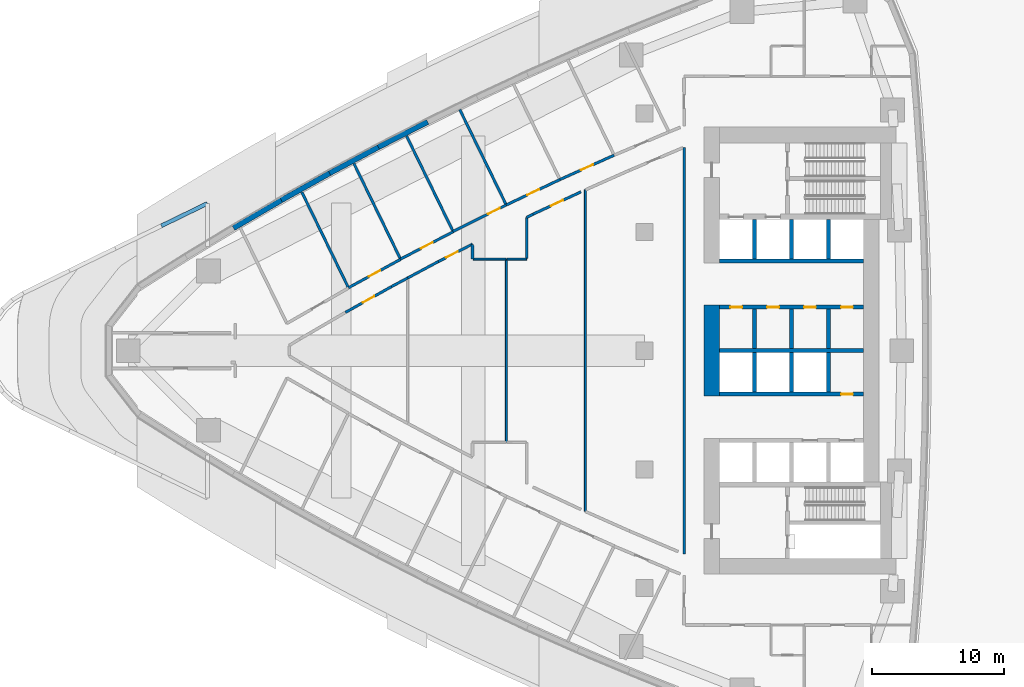
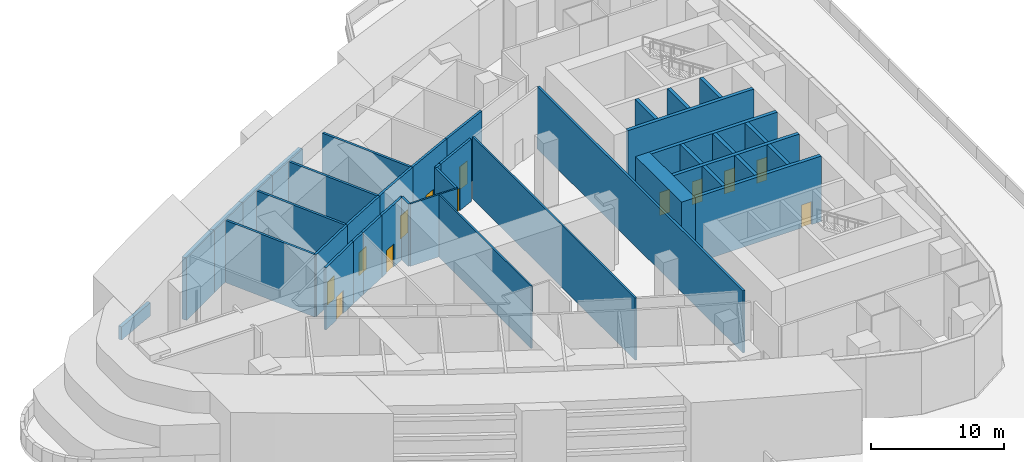
# One storey, part 4 of 14: 41 walls, 13 doors, 13 openings.
"""IFC4 building model written with IfcOpenShell, lengths in metres."""

from ifc_helpers import new_model, si_unit, direction, frame, frame_2d, origin, place, context, subcontext, project, spatial, polyline, rectangle, outline, extrude, material, layer, layer_set, type_object, element, fill, save


model = new_model("IFC4")

# Units and contexts
model_context = context("Model", 3, precision=1e-05, world=origin(), true_north=direction((0.0, 1.0)))
body_context = subcontext(model_context, "Body", "Model", "MODEL_VIEW")
ifc_project = project(units=[si_unit("LENGTHUNIT", "METRE"), si_unit("AREAUNIT", "SQUARE_METRE"), si_unit("VOLUMEUNIT", "CUBIC_METRE"), si_unit("PLANEANGLEUNIT", "RADIAN"), si_unit("MASSUNIT", "GRAM", prefix="KILO")], contexts=[model_context])

# Site, building, storey
site_placement = place(None, origin())
site = spatial("IfcSite", under=ifc_project, at=site_placement, CompositionType="ELEMENT")
building_placement = place(site_placement, origin())
building = spatial("IfcBuilding", under=site, at=building_placement, Name="Ostrand Prow Hotel Tower", CompositionType="ELEMENT")
storey_placement = place(building_placement, frame((0.0, 0.0, 29.0)))
storey = spatial("IfcBuildingStorey", under=building, at=storey_placement, Name="L05", CompositionType="ELEMENT", Elevation=29.0)

# Walls
ifc_material_1 = material(Name="Concrete C80/95", Category="concrete")
ifc_layer_1 = layer(ifc_material_1, 1.199951171875)
ifc_layer_set_1 = layer_set([ifc_layer_1], Name="Concrete C80/95")
wall_type_1 = type_object("IfcWallType", Name="Core wall 1200 C80/95", PredefinedType="SHEAR", material=ifc_layer_set_1)
wall_1_placement = place(storey_placement, frame((50.10009765625, -3.449951171875, 0.0), z_axis=(0.0, 0.0, 1.0), x_axis=(0.0, 1.0, 0.0)))
element("IfcWall", 1, at=wall_1_placement, inside=storey, type_object=wall_type_1, Name="Core wall CW-W-C", PredefinedType="SHEAR", context=body_context, shape_type="SweptSolid", body=[
    extrude(rectangle(XDim=6.89990234375, YDim=1.199951171875, at=frame_2d((3.449951171875, 0.0))), origin(), (0.0, 0.0, 1.0), 6.0),
])
ifc_material_2 = material(Name="Concrete C80/95", Category="concrete")
ifc_layer_2 = layer(ifc_material_2, 0.300048828125)
ifc_layer_set_2 = layer_set([ifc_layer_2], Name="Concrete C80/95")
wall_type_2 = type_object("IfcWallType", Name="Core wall 300 C80/95", PredefinedType="SHEAR", material=ifc_layer_set_2)
wall_2_placement = place(storey_placement, frame((50.699951171875, 0.0, 0.0), z_axis=(0.0, 0.0, 1.0), x_axis=(1.0, 0.0, 0.0)))
element("IfcWall", 2, at=wall_2_placement, inside=storey, type_object=wall_type_2, Name="Core wall PW-C", PredefinedType="SHEAR", context=body_context, shape_type="SweptSolid", body=[
    extrude(rectangle(XDim=10.900146484375, YDim=0.300048828125, at=frame_2d((5.4501953125, 0.0))), origin(), (0.0, 0.0, 1.0), 6.0),
])

# Wall, openings, doors
wall_3_placement = place(storey_placement, frame((50.699951171875, 3.300048828125, 0.0), z_axis=(0.0, 0.0, 1.0), x_axis=(1.0, 0.0, 0.0)))
wall_3 = element("IfcWall", 3, at=wall_3_placement, inside=storey, type_object=wall_type_2, Name="Core wall PW-L1-N", PredefinedType="SHEAR", context=body_context, shape_type="SweptSolid", body=[
    extrude(rectangle(XDim=10.900146484375, YDim=0.300048828125, at=frame_2d((5.4501953125, 0.0))), origin(), (0.0, 0.0, 1.0), 6.0),
])
opening_1_placement = place(wall_3_placement, frame((0.800048828125, 0.0, 0.0)))
opening_1 = element("IfcOpeningElement", 4, at=opening_1_placement, cuts=wall_3, Name="Opening FD2", PredefinedType="OPENING", context=body_context, shape_type="SweptSolid", body=[
    extrude(rectangle(XDim=0.89990234375, YDim=2.10009765625, at=frame_2d((0.449951171875, 1.050048828125))), frame((0.0, 0.159912109375, 0.0), z_axis=(0.0, -1.0, 0.0), x_axis=(1.0, 0.0, 0.0)), (0.0, 0.0, 1.0), 0.320068359375),
])
opening_2_placement = place(wall_3_placement, frame((3.60009765625, 0.0, 0.0)))
opening_2 = element("IfcOpeningElement", 5, at=opening_2_placement, cuts=wall_3, Name="Opening FD2", PredefinedType="OPENING", context=body_context, shape_type="SweptSolid", body=[
    extrude(rectangle(XDim=0.89990234375, YDim=2.10009765625, at=frame_2d((0.449951171875, 1.050048828125))), frame((0.0, 0.159912109375, 0.0), z_axis=(0.0, -1.0, 0.0), x_axis=(1.0, 0.0, 0.0)), (0.0, 0.0, 1.0), 0.320068359375),
])
opening_3_placement = place(wall_3_placement, frame((6.39990234375, 0.0, 0.0)))
opening_3 = element("IfcOpeningElement", 6, at=opening_3_placement, cuts=wall_3, Name="Opening FD2", PredefinedType="OPENING", context=body_context, shape_type="SweptSolid", body=[
    extrude(rectangle(XDim=0.89990234375, YDim=2.10009765625, at=frame_2d((0.449951171875, 1.050048828125))), frame((0.0, 0.159912109375, 0.0), z_axis=(0.0, -1.0, 0.0), x_axis=(1.0, 0.0, 0.0)), (0.0, 0.0, 1.0), 0.320068359375),
])
opening_4_placement = place(wall_3_placement, frame((9.199951171875, 0.0, 0.0)))
opening_4 = element("IfcOpeningElement", 7, at=opening_4_placement, cuts=wall_3, Name="Opening FD2", PredefinedType="OPENING", context=body_context, shape_type="SweptSolid", body=[
    extrude(rectangle(XDim=0.89990234375, YDim=2.10009765625, at=frame_2d((0.449951171875, 1.050048828125))), frame((0.0, 0.159912109375, 0.0), z_axis=(0.0, -1.0, 0.0), x_axis=(1.0, 0.0, 0.0)), (0.0, 0.0, 1.0), 0.320068359375),
])
ifc_material_3 = material(Name="Steel fire door", Category="steel")
door_type_1 = type_object("IfcDoorType", Name="Fire door 900 EI120", OperationType="SINGLE_SWING_LEFT", PredefinedType="DOOR", material=ifc_material_3)
door_1_placement = place(opening_1_placement, origin())
door_1 = element("IfcDoor", 8, at=door_1_placement, inside=storey, type_object=door_type_1, Name="DOOR", OperationType="SINGLE_SWING_LEFT", OverallHeight=2.10009765625, OverallWidth=0.89990234375, PredefinedType="DOOR", context=body_context, shape_type="SweptSolid", body=[
    extrude(rectangle(XDim=0.89990234375, YDim=2.10009765625, at=frame_2d((0.449951171875, 1.050048828125))), frame((0.0, 0.02490234375, 0.0), z_axis=(0.0, -1.0, 0.0), x_axis=(1.0, 0.0, 0.0)), (0.0, 0.0, 1.0), 0.050048828125),
])
fill(opening_1, door_1)
door_2_placement = place(opening_2_placement, origin())
door_2 = element("IfcDoor", 9, at=door_2_placement, inside=storey, type_object=door_type_1, Name="DOOR", OperationType="SINGLE_SWING_LEFT", OverallHeight=2.10009765625, OverallWidth=0.89990234375, PredefinedType="DOOR", context=body_context, shape_type="SweptSolid", body=[
    extrude(rectangle(XDim=0.89990234375, YDim=2.10009765625, at=frame_2d((0.449951171875, 1.050048828125))), frame((0.0, 0.02490234375, 0.0), z_axis=(0.0, -1.0, 0.0), x_axis=(1.0, 0.0, 0.0)), (0.0, 0.0, 1.0), 0.050048828125),
])
fill(opening_2, door_2)
door_3_placement = place(opening_3_placement, origin())
door_3 = element("IfcDoor", 10, at=door_3_placement, inside=storey, type_object=door_type_1, Name="DOOR", OperationType="SINGLE_SWING_LEFT", OverallHeight=2.10009765625, OverallWidth=0.89990234375, PredefinedType="DOOR", context=body_context, shape_type="SweptSolid", body=[
    extrude(rectangle(XDim=0.89990234375, YDim=2.10009765625, at=frame_2d((0.449951171875, 1.050048828125))), frame((0.0, 0.02490234375, 0.0), z_axis=(0.0, -1.0, 0.0), x_axis=(1.0, 0.0, 0.0)), (0.0, 0.0, 1.0), 0.050048828125),
])
fill(opening_3, door_3)
door_4_placement = place(opening_4_placement, origin())
door_4 = element("IfcDoor", 11, at=door_4_placement, inside=storey, type_object=door_type_1, Name="DOOR", OperationType="SINGLE_SWING_LEFT", OverallHeight=2.10009765625, OverallWidth=0.89990234375, PredefinedType="DOOR", context=body_context, shape_type="SweptSolid", body=[
    extrude(rectangle(XDim=0.89990234375, YDim=2.10009765625, at=frame_2d((0.449951171875, 1.050048828125))), frame((0.0, 0.02490234375, 0.0), z_axis=(0.0, -1.0, 0.0), x_axis=(1.0, 0.0, 0.0)), (0.0, 0.0, 1.0), 0.050048828125),
])
fill(opening_4, door_4)

# Walls
wall_4_placement = place(storey_placement, frame((50.699951171875, 6.800048828125, 0.0), z_axis=(0.0, 0.0, 1.0), x_axis=(1.0, 0.0, 0.0)))
element("IfcWall", 12, at=wall_4_placement, inside=storey, type_object=wall_type_2, Name="Core wall PW-L2-N", PredefinedType="SHEAR", context=body_context, shape_type="SweptSolid", body=[
    extrude(rectangle(XDim=10.900146484375, YDim=0.300048828125, at=frame_2d((5.4501953125, 0.0))), origin(), (0.0, 0.0, 1.0), 6.0),
])
for number, where, z_axis, x_axis, name in (
    (13, (53.35009765625, 0.14990234375, 0.0), (0.0, 0.0, 1.0), (0.0, 1.0, 0.0), "Core wall PW-R1-NB"),
    (14, (53.35009765625, 6.949951171875, 0.0), (0.0, 0.0, 1.0), (0.0, 1.0, 0.0), "Core wall PW-R1-NA"),
    (15, (56.14990234375, 0.14990234375, 0.0), (0.0, 0.0, 1.0), (0.0, 1.0, 0.0), "Core wall PW-R2-NB"),
    (16, (56.14990234375, 6.949951171875, 0.0), (0.0, 0.0, 1.0), (0.0, 1.0, 0.0), "Core wall PW-R2-NA"),
    (17, (58.949951171875, 0.14990234375, 0.0), (0.0, 0.0, 1.0), (0.0, 1.0, 0.0), "Core wall PW-R3-NB"),
    (18, (58.949951171875, 6.949951171875, 0.0), (0.0, 0.0, 1.0), (0.0, 1.0, 0.0), "Core wall PW-R3-NA"),
):
    element("IfcWall", number, at=place(storey_placement, frame(where, z_axis=z_axis, x_axis=x_axis)), inside=storey, type_object=wall_type_2, Name=name, PredefinedType="SHEAR", context=body_context, shape_type="SweptSolid", body=[
        extrude(rectangle(XDim=3.0, YDim=0.300048828125, at=frame_2d((1.5, 0.0))), origin(), (0.0, 0.0, 1.0), 6.0),
    ])

# Wall, opening, door
wall_5_placement = place(storey_placement, frame((50.699951171875, -3.300048828125, 0.0), z_axis=(0.0, 0.0, 1.0), x_axis=(1.0, 0.0, 0.0)))
wall_5 = element("IfcWall", 19, at=wall_5_placement, inside=storey, type_object=wall_type_2, Name="Core wall PW-L1-S", PredefinedType="SHEAR", context=body_context, shape_type="SweptSolid", body=[
    extrude(rectangle(XDim=10.900146484375, YDim=0.300048828125, at=frame_2d((5.4501953125, 0.0))), origin(), (0.0, 0.0, 1.0), 6.0),
])
opening_5_placement = place(wall_5_placement, frame((9.199951171875, 0.0, 0.0)))
opening_5 = element("IfcOpeningElement", 20, at=opening_5_placement, cuts=wall_5, Name="Opening FD2", PredefinedType="OPENING", context=body_context, shape_type="SweptSolid", body=[
    extrude(rectangle(XDim=0.89990234375, YDim=2.10009765625, at=frame_2d((0.449951171875, 1.050048828125))), frame((0.0, 0.159912109375, 0.0), z_axis=(0.0, -1.0, 0.0), x_axis=(1.0, 0.0, 0.0)), (0.0, 0.0, 1.0), 0.320068359375),
])
door_5_placement = place(opening_5_placement, origin())
door_5 = element("IfcDoor", 21, at=door_5_placement, inside=storey, type_object=door_type_1, Name="DOOR", OperationType="SINGLE_SWING_LEFT", OverallHeight=2.10009765625, OverallWidth=0.89990234375, PredefinedType="DOOR", context=body_context, shape_type="SweptSolid", body=[
    extrude(rectangle(XDim=0.89990234375, YDim=2.10009765625, at=frame_2d((0.449951171875, 1.050048828125))), frame((0.0, 0.02490234375, 0.0), z_axis=(0.0, -1.0, 0.0), x_axis=(1.0, 0.0, 0.0)), (0.0, 0.0, 1.0), 0.050048828125),
])
fill(opening_5, door_5)

# Walls
for number, where, z_axis, x_axis, name in (
    (22, (53.35009765625, -3.14990234375, 0.0), (0.0, 0.0, 1.0), (0.0, 1.0, 0.0), "Core wall PW-R1-SB"),
    (23, (56.14990234375, -3.14990234375, 0.0), (0.0, 0.0, 1.0), (0.0, 1.0, 0.0), "Core wall PW-R2-SB"),
    (24, (58.949951171875, -3.14990234375, 0.0), (0.0, 0.0, 1.0), (0.0, 1.0, 0.0), "Core wall PW-R3-SB"),
):
    element("IfcWall", number, at=place(storey_placement, frame(where, z_axis=z_axis, x_axis=x_axis)), inside=storey, type_object=wall_type_2, Name=name, PredefinedType="SHEAR", context=body_context, shape_type="SweptSolid", body=[
        extrude(rectangle(XDim=3.0, YDim=0.300048828125, at=frame_2d((1.5, 0.0))), origin(), (0.0, 0.0, 1.0), 6.0),
    ])
ifc_material_4 = material(Name="Precast concrete C40/50", Category="concrete")
ifc_layer_3 = layer(ifc_material_4, 0.300048828125)
ifc_layer_set_3 = layer_set([ifc_layer_3], Name="Precast concrete C40/50")
wall_type_3 = type_object("IfcWallType", Name="Parapet 300 mm precast concrete", PredefinedType="PARAPET", material=ifc_layer_set_3)
wall_6_placement = place(storey_placement, frame((11.85009765625, 11.172607421875, 0.0), z_axis=(0.0, 0.0, 1.0), x_axis=(-0.898881354941, -0.438192092282, 0.0)))
element("IfcWall", 25, at=wall_6_placement, inside=storey, type_object=wall_type_3, Name="Parapet 1.1.2", PredefinedType="PARAPET", context=body_context, shape_type="SweptSolid", body=[
    extrude(rectangle(XDim=3.885009765625, YDim=0.300048828125, at=frame_2d((1.9423828125, 0.0))), origin(), (0.0, 0.0, 1.0), 1.199951171875),
])
ifc_material_5 = material(Name="Plasterboard partition")
ifc_layer_4 = layer(ifc_material_5, 0.14990234375)
ifc_layer_set_4 = layer_set([ifc_layer_4], Name="Plasterboard partition")
wall_type_4 = type_object("IfcWallType", Name="Partition 150 room partition", PredefinedType="PARTITIONING", material=ifc_layer_set_4)
wall_7_placement = place(storey_placement, frame((34.5224609375, -6.949951171875, 0.0), z_axis=(0.0, 0.0, 1.0), x_axis=(0.0, 1.0, 0.0)))
element("IfcWall", 26, at=wall_7_placement, inside=storey, type_object=wall_type_4, Name="ROOM PARTITION", PredefinedType="PARTITIONING", context=body_context, shape_type="SweptSolid", body=[
    extrude(rectangle(XDim=13.89990234375, YDim=0.14990234375, at=frame_2d((6.949951171875, 0.0))), origin(), (0.0, 0.0, 1.0), 5.699951171875),
])
wall_8_placement = place(storey_placement, frame((40.512451171875, -12.195556640625, 0.0), z_axis=(0.0, 0.0, 1.0), x_axis=(0.0, 1.0, 0.0)))
element("IfcWall", 27, at=wall_8_placement, inside=storey, type_object=wall_type_4, Name="ROOM PARTITION", PredefinedType="PARTITIONING", context=body_context, shape_type="SweptSolid", body=[
    extrude(rectangle(XDim=24.39111328125, YDim=0.14990234375, at=frame_2d((12.195556640625, 0.0))), origin(), (0.0, 0.0, 1.0), 5.699951171875),
])
wall_9_placement = place(storey_placement, frame((31.988525390625, 6.9453125, 0.0), z_axis=(0.0, 0.0, 1.0), x_axis=(0.999999995208, -9.7895252e-05, 0.0)))
element("IfcWall", 28, at=wall_9_placement, inside=storey, type_object=wall_type_4, Name="ROOM PARTITION", PredefinedType="PARTITIONING", context=body_context, shape_type="SweptSolid", body=[
    extrude(rectangle(XDim=2.493896484375, YDim=0.14990234375, at=frame_2d((1.2470703125, 0.0))), origin(), (0.0, 0.0, 1.0), 5.699951171875),
])
wall_10_placement = place(storey_placement, frame((34.5625, 6.945068359375, 0.0), z_axis=(0.0, 0.0, 1.0), x_axis=(0.999998661111, 0.001636391198, 0.0)))
element("IfcWall", 29, at=wall_10_placement, inside=storey, type_object=wall_type_4, Name="ROOM PARTITION", PredefinedType="PARTITIONING", context=body_context, shape_type="SweptSolid", body=[
    extrude(rectangle(XDim=1.491943359375, YDim=0.14990234375, at=frame_2d((0.74609375, 0.0))), origin(), (0.0, 0.0, 1.0), 5.699951171875),
])

# Wall, opening, door
ifc_material_6 = material(Name="Plasterboard partition")
ifc_layer_5 = layer(ifc_material_6, 0.199951171875)
ifc_layer_set_5 = layer_set([ifc_layer_5], Name="Plasterboard partition")
wall_type_5 = type_object("IfcWallType", Name="Partition 200 corridor wall", PredefinedType="PARTITIONING", material=ifc_layer_set_5)
wall_11_placement = place(storey_placement, frame((22.541015625, 4.772705078125, 0.0), z_axis=(0.0, 0.0, 1.0), x_axis=(0.878098348451, 0.478480188146, 0.0)))
wall_11 = element("IfcWall", 30, at=wall_11_placement, inside=storey, type_object=wall_type_5, Name="CORRIDOR WALL", PredefinedType="PARTITIONING", context=body_context, shape_type="SweptSolid", body=[
    extrude(rectangle(XDim=4.507568359375, YDim=0.199951171875, at=frame_2d((2.25390625, 0.0))), origin(), (0.0, 0.0, 1.0), 5.699951171875),
])
opening_6_placement = place(wall_11_placement, frame((1.75390625, 0.0, 0.0)))
opening_6 = element("IfcOpeningElement", 31, at=opening_6_placement, cuts=wall_11, Name="Opening D1R", PredefinedType="OPENING", context=body_context, shape_type="SweptSolid", body=[
    extrude(rectangle(XDim=1.0, YDim=2.10009765625, at=frame_2d((0.5, 1.050048828125))), frame((0.0, 0.10986328125, 0.0), z_axis=(0.0, -1.0, 0.0), x_axis=(1.0, 0.0, 0.0)), (0.0, 0.0, 1.0), 0.219970703125),
])
ifc_material_7 = material(Name="Timber door leaf", Category="wood")
door_type_2 = type_object("IfcDoorType", Name="Guest room door 1000 right", OperationType="SINGLE_SWING_RIGHT", PredefinedType="DOOR", material=ifc_material_7)
door_6_placement = place(opening_6_placement, origin())
door_6 = element("IfcDoor", 32, at=door_6_placement, inside=storey, type_object=door_type_2, Name="DOOR", OperationType="SINGLE_SWING_RIGHT", OverallHeight=2.10009765625, OverallWidth=1.0, PredefinedType="DOOR", context=body_context, shape_type="SweptSolid", body=[
    extrude(rectangle(XDim=1.0, YDim=2.10009765625, at=frame_2d((0.5, 1.050048828125))), frame((0.0, 0.02490234375, 0.0), z_axis=(0.0, -1.0, 0.0), x_axis=(1.0, 0.0, 0.0)), (0.0, 0.0, 1.0), 0.050048828125),
])
fill(opening_6, door_6)

wall_12_placement = place(storey_placement, frame((26.490234375, 6.947509765625, 0.0), z_axis=(0.0, 0.0, 1.0), x_axis=(0.887638836985, 0.460540220911, 0.0)))
wall_12 = element("IfcWall", 33, at=wall_12_placement, inside=storey, type_object=wall_type_5, Name="CORRIDOR WALL", PredefinedType="PARTITIONING", context=body_context, shape_type="SweptSolid", body=[
    extrude(rectangle(XDim=4.50439453125, YDim=0.199951171875, at=frame_2d((2.252197265625, 0.0))), origin(), (0.0, 0.0, 1.0), 5.699951171875),
])
opening_7_placement = place(wall_12_placement, frame((1.752197265625, 0.0, 0.0)))
opening_7 = element("IfcOpeningElement", 34, at=opening_7_placement, cuts=wall_12, Name="Opening D1", PredefinedType="OPENING", context=body_context, shape_type="SweptSolid", body=[
    extrude(rectangle(XDim=1.0, YDim=2.10009765625, at=frame_2d((0.5, 1.050048828125))), frame((0.0, 0.10986328125, 0.0), z_axis=(0.0, -1.0, 0.0), x_axis=(1.0, 0.0, 0.0)), (0.0, 0.0, 1.0), 0.219970703125),
])
ifc_material_8 = material(Name="Timber door leaf", Category="wood")
door_type_3 = type_object("IfcDoorType", Name="Guest room door 1000", OperationType="SINGLE_SWING_LEFT", PredefinedType="DOOR", material=ifc_material_8)
door_7_placement = place(opening_7_placement, origin())
door_7 = element("IfcDoor", 35, at=door_7_placement, inside=storey, type_object=door_type_3, Name="DOOR", OperationType="SINGLE_SWING_LEFT", OverallHeight=2.10009765625, OverallWidth=1.0, PredefinedType="DOOR", context=body_context, shape_type="SweptSolid", body=[
    extrude(rectangle(XDim=1.0, YDim=2.10009765625, at=frame_2d((0.5, 1.050048828125))), frame((0.0, 0.02490234375, 0.0), z_axis=(0.0, -1.0, 0.0), x_axis=(1.0, 0.0, 0.0)), (0.0, 0.0, 1.0), 0.050048828125),
])
fill(opening_7, door_7)

wall_13_placement = place(storey_placement, frame((30.479736328125, 9.039794921875, 0.0), z_axis=(0.0, 0.0, 1.0), x_axis=(0.894989913054, 0.446086376761, 0.0)))
wall_13 = element("IfcWall", 36, at=wall_13_placement, inside=storey, type_object=wall_type_5, Name="CORRIDOR WALL", PredefinedType="PARTITIONING", context=body_context, shape_type="SweptSolid", body=[
    extrude(rectangle(XDim=4.50634765625, YDim=0.199951171875, at=frame_2d((2.253173828125, 0.0))), origin(), (0.0, 0.0, 1.0), 5.699951171875),
])
opening_8_placement = place(wall_13_placement, frame((2.949951171875, 0.0, 0.0)))
opening_8 = element("IfcOpeningElement", 37, at=opening_8_placement, cuts=wall_13, Name="Opening D1R", PredefinedType="OPENING", context=body_context, shape_type="SweptSolid", body=[
    extrude(rectangle(XDim=1.0, YDim=2.10009765625, at=frame_2d((0.5, 1.050048828125))), frame((0.0, 0.10986328125, 0.0), z_axis=(0.0, -1.0, 0.0), x_axis=(1.0, 0.0, 0.0)), (0.0, 0.0, 1.0), 0.219970703125),
])
door_8_placement = place(opening_8_placement, origin())
door_8 = element("IfcDoor", 38, at=door_8_placement, inside=storey, type_object=door_type_2, Name="DOOR", OperationType="SINGLE_SWING_RIGHT", OverallHeight=2.10009765625, OverallWidth=1.0, PredefinedType="DOOR", context=body_context, shape_type="SweptSolid", body=[
    extrude(rectangle(XDim=1.0, YDim=2.10009765625, at=frame_2d((0.5, 1.050048828125))), frame((0.0, 0.02490234375, 0.0), z_axis=(0.0, -1.0, 0.0), x_axis=(1.0, 0.0, 0.0)), (0.0, 0.0, 1.0), 0.050048828125),
])
fill(opening_8, door_8)

wall_14_placement = place(storey_placement, frame((38.584716796875, 12.981201171875, 0.0), z_axis=(0.0, 0.0, 1.0), x_axis=(-0.903706948966, -0.428151550727, 0.0)))
wall_14 = element("IfcWall", 39, at=wall_14_placement, inside=storey, type_object=wall_type_5, Name="CORRIDOR WALL", PredefinedType="PARTITIONING", context=body_context, shape_type="SweptSolid", body=[
    extrude(rectangle(XDim=4.50634765625, YDim=0.199951171875, at=frame_2d((2.253173828125, 0.0))), origin(), (0.0, 0.0, 1.0), 5.699951171875),
])
opening_9_placement = place(wall_14_placement, frame((1.75341796875, 0.0, 0.0)))
opening_9 = element("IfcOpeningElement", 40, at=opening_9_placement, cuts=wall_14, Name="Opening D1", PredefinedType="OPENING", context=body_context, shape_type="SweptSolid", body=[
    extrude(rectangle(XDim=1.0, YDim=2.10009765625, at=frame_2d((0.5, 1.050048828125))), frame((0.0, 0.10986328125, 0.0), z_axis=(0.0, -1.0, 0.0), x_axis=(1.0, 0.0, 0.0)), (0.0, 0.0, 1.0), 0.219970703125),
])
door_9_placement = place(opening_9_placement, origin())
door_9 = element("IfcDoor", 41, at=door_9_placement, inside=storey, type_object=door_type_3, Name="DOOR", OperationType="SINGLE_SWING_LEFT", OverallHeight=2.10009765625, OverallWidth=1.0, PredefinedType="DOOR", context=body_context, shape_type="SweptSolid", body=[
    extrude(rectangle(XDim=1.0, YDim=2.10009765625, at=frame_2d((0.5, 1.050048828125))), frame((0.0, 0.02490234375, 0.0), z_axis=(0.0, -1.0, 0.0), x_axis=(1.0, 0.0, 0.0)), (0.0, 0.0, 1.0), 0.050048828125),
])
fill(opening_9, door_9)

wall_15_placement = place(storey_placement, frame((42.694091796875, 14.8271484375, 0.0), z_axis=(0.0, 0.0, 1.0), x_axis=(-0.912193063794, -0.409760679381, 0.0)))
wall_15 = element("IfcWall", 42, at=wall_15_placement, inside=storey, type_object=wall_type_5, Name="CORRIDOR WALL", PredefinedType="PARTITIONING", context=body_context, shape_type="SweptSolid", body=[
    extrude(rectangle(XDim=4.5048828125, YDim=0.199951171875, at=frame_2d((2.25244140625, 0.0))), origin(), (0.0, 0.0, 1.0), 5.699951171875),
])
opening_10_placement = place(wall_15_placement, frame((1.75244140625, 0.0, 0.0)))
opening_10 = element("IfcOpeningElement", 43, at=opening_10_placement, cuts=wall_15, Name="Opening D1R", PredefinedType="OPENING", context=body_context, shape_type="SweptSolid", body=[
    extrude(rectangle(XDim=1.0, YDim=2.10009765625, at=frame_2d((0.5, 1.050048828125))), frame((0.0, 0.10986328125, 0.0), z_axis=(0.0, -1.0, 0.0), x_axis=(1.0, 0.0, 0.0)), (0.0, 0.0, 1.0), 0.219970703125),
])
door_10_placement = place(opening_10_placement, origin())
door_10 = element("IfcDoor", 44, at=door_10_placement, inside=storey, type_object=door_type_2, Name="DOOR", OperationType="SINGLE_SWING_RIGHT", OverallHeight=2.10009765625, OverallWidth=1.0, PredefinedType="DOOR", context=body_context, shape_type="SweptSolid", body=[
    extrude(rectangle(XDim=1.0, YDim=2.10009765625, at=frame_2d((0.5, 1.050048828125))), frame((0.0, 0.02490234375, 0.0), z_axis=(0.0, -1.0, 0.0), x_axis=(1.0, 0.0, 0.0)), (0.0, 0.0, 1.0), 0.050048828125),
])
fill(opening_10, door_10)

wall_16_placement = place(storey_placement, frame((22.31201171875, 2.903076171875, 0.0), z_axis=(0.0, 0.0, 1.0), x_axis=(0.872800289292, 0.488077509225, 0.0)))
wall_16 = element("IfcWall", 45, at=wall_16_placement, inside=storey, type_object=wall_type_5, Name="CORRIDOR WALL", PredefinedType="PARTITIONING", context=body_context, shape_type="SweptSolid", body=[
    extrude(rectangle(XDim=4.015625, YDim=0.199951171875, at=frame_2d((2.0078125, 0.0))), origin(), (0.0, 0.0, 1.0), 5.699951171875),
])
opening_11_placement = place(wall_16_placement, frame((1.5078125, 0.0, 0.0)))
opening_11 = element("IfcOpeningElement", 46, at=opening_11_placement, cuts=wall_16, Name="Opening D1", PredefinedType="OPENING", context=body_context, shape_type="SweptSolid", body=[
    extrude(rectangle(XDim=1.0, YDim=2.10009765625, at=frame_2d((0.5, 1.050048828125))), frame((0.0, 0.10986328125, 0.0), z_axis=(0.0, -1.0, 0.0), x_axis=(1.0, 0.0, 0.0)), (0.0, 0.0, 1.0), 0.219970703125),
])
door_11_placement = place(opening_11_placement, origin())
door_11 = element("IfcDoor", 47, at=door_11_placement, inside=storey, type_object=door_type_3, Name="DOOR", OperationType="SINGLE_SWING_LEFT", OverallHeight=2.10009765625, OverallWidth=1.0, PredefinedType="DOOR", context=body_context, shape_type="SweptSolid", body=[
    extrude(rectangle(XDim=1.0, YDim=2.10009765625, at=frame_2d((0.5, 1.050048828125))), frame((0.0, 0.02490234375, 0.0), z_axis=(0.0, -1.0, 0.0), x_axis=(1.0, 0.0, 0.0)), (0.0, 0.0, 1.0), 0.050048828125),
])
fill(opening_11, door_11)

# Wall
wall_17_placement = place(storey_placement, frame((25.81689453125, 4.863037109375, 0.0), z_axis=(0.0, 0.0, 1.0), x_axis=(0.881676934622, 0.471853560922, 0.0)))
element("IfcWall", 48, at=wall_17_placement, inside=storey, type_object=wall_type_5, Name="CORRIDOR WALL", PredefinedType="PARTITIONING", context=body_context, shape_type="SweptSolid", body=[
    extrude(rectangle(XDim=1.381591796875, YDim=0.199951171875, at=frame_2d((0.69091796875, 0.0))), origin(), (0.0, 0.0, 1.0), 5.699951171875),
])

# Wall, opening, door
wall_18_placement = place(storey_placement, frame((29.357421875, 6.758056640625, 0.0), z_axis=(0.0, 0.0, 1.0), x_axis=(0.890213377055, 0.455543788579, 0.0)))
wall_18 = element("IfcWall", 49, at=wall_18_placement, inside=storey, type_object=wall_type_5, Name="CORRIDOR WALL", PredefinedType="PARTITIONING", context=body_context, shape_type="SweptSolid", body=[
    extrude(rectangle(XDim=2.912353515625, YDim=0.199951171875, at=frame_2d((1.4560546875, 0.0))), origin(), (0.0, 0.0, 1.0), 5.699951171875),
])
opening_12_placement = place(wall_18_placement, frame((0.65625, 0.0, 0.0)))
opening_12 = element("IfcOpeningElement", 50, at=opening_12_placement, cuts=wall_18, Name="Opening D1R", PredefinedType="OPENING", context=body_context, shape_type="SweptSolid", body=[
    extrude(rectangle(XDim=1.0, YDim=2.10009765625, at=frame_2d((0.5, 1.050048828125))), frame((0.0, 0.10986328125, 0.0), z_axis=(0.0, -1.0, 0.0), x_axis=(1.0, 0.0, 0.0)), (0.0, 0.0, 1.0), 0.219970703125),
])
door_12_placement = place(opening_12_placement, origin())
door_12 = element("IfcDoor", 51, at=door_12_placement, inside=storey, type_object=door_type_2, Name="DOOR", OperationType="SINGLE_SWING_RIGHT", OverallHeight=2.10009765625, OverallWidth=1.0, PredefinedType="DOOR", context=body_context, shape_type="SweptSolid", body=[
    extrude(rectangle(XDim=1.0, YDim=2.10009765625, at=frame_2d((0.5, 1.050048828125))), frame((0.0, 0.02490234375, 0.0), z_axis=(0.0, -1.0, 0.0), x_axis=(1.0, 0.0, 0.0)), (0.0, 0.0, 1.0), 0.050048828125),
])
fill(opening_12, door_12)

# Wall
wall_19_placement = place(storey_placement, frame((27.034912109375, 5.514892578125, 0.0), z_axis=(0.0, 0.0, 1.0), x_axis=(0.881643871176, 0.471915336069, 0.0)))
element("IfcWall", 52, at=wall_19_placement, inside=storey, type_object=wall_type_5, Name="CORRIDOR WALL", PredefinedType="PARTITIONING", context=body_context, shape_type="SweptSolid", body=[
    extrude(rectangle(XDim=2.63427734375, YDim=0.199951171875, at=frame_2d((1.317138671875, 0.0))), origin(), (0.0, 0.0, 1.0), 5.699951171875),
])

# Wall, opening, door
wall_20_placement = place(storey_placement, frame((36.5400390625, 10.35107421875, 0.0), z_axis=(0.0, 0.0, 1.0), x_axis=(0.906347708834, 0.42253263861, 0.0)))
wall_20 = element("IfcWall", 53, at=wall_20_placement, inside=storey, type_object=wall_type_5, Name="CORRIDOR WALL", PredefinedType="PARTITIONING", context=body_context, shape_type="SweptSolid", body=[
    extrude(rectangle(XDim=4.015625, YDim=0.199951171875, at=frame_2d((2.0078125, 0.0))), origin(), (0.0, 0.0, 1.0), 5.699951171875),
])
opening_13_placement = place(wall_20_placement, frame((1.5078125, 0.0, 0.0)))
opening_13 = element("IfcOpeningElement", 54, at=opening_13_placement, cuts=wall_20, Name="Opening D1", PredefinedType="OPENING", context=body_context, shape_type="SweptSolid", body=[
    extrude(rectangle(XDim=1.0, YDim=2.10009765625, at=frame_2d((0.5, 1.050048828125))), frame((0.0, 0.10986328125, 0.0), z_axis=(0.0, -1.0, 0.0), x_axis=(1.0, 0.0, 0.0)), (0.0, 0.0, 1.0), 0.219970703125),
])
door_13_placement = place(opening_13_placement, origin())
door_13 = element("IfcDoor", 55, at=door_13_placement, inside=storey, type_object=door_type_3, Name="DOOR", OperationType="SINGLE_SWING_LEFT", OverallHeight=2.10009765625, OverallWidth=1.0, PredefinedType="DOOR", context=body_context, shape_type="SweptSolid", body=[
    extrude(rectangle(XDim=1.0, YDim=2.10009765625, at=frame_2d((0.5, 1.050048828125))), frame((0.0, 0.02490234375, 0.0), z_axis=(0.0, -1.0, 0.0), x_axis=(1.0, 0.0, 0.0)), (0.0, 0.0, 1.0), 0.050048828125),
])
fill(opening_13, door_13)

# Walls
wall_21_placement = place(storey_placement, frame((31.945068359375, 8.037353515625, 0.0), z_axis=(0.0, 0.0, 1.0), x_axis=(0.003129875123, -0.999995101929, 0.0)))
element("IfcWall", 56, at=wall_21_placement, inside=storey, type_object=wall_type_5, Name="CORRIDOR WALL", PredefinedType="PARTITIONING", context=body_context, shape_type="SweptSolid", body=[
    extrude(rectangle(XDim=1.092041015625, YDim=0.199951171875, at=frame_2d((0.5458984375, 0.0))), origin(), (0.0, 0.0, 1.0), 5.699951171875),
])
wall_22_placement = place(storey_placement, frame((36.054443359375, 6.987548828125, 0.0), z_axis=(0.0, 0.0, 1.0), x_axis=(0.000156457794, 0.99999998776, 0.0)))
element("IfcWall", 57, at=wall_22_placement, inside=storey, type_object=wall_type_5, Name="CORRIDOR WALL", PredefinedType="PARTITIONING", context=body_context, shape_type="SweptSolid", body=[
    extrude(rectangle(XDim=3.120849609375, YDim=0.199951171875, at=frame_2d((1.560546875, 0.0))), origin(), (0.0, 0.0, 1.0), 5.699951171875),
])
wall_23_placement = place(storey_placement, frame((48.0, 15.4140625, 0.0), z_axis=(0.0, 0.0, 1.0), x_axis=(0.0, -1.0, 0.0)))
element("IfcWall", 58, at=wall_23_placement, inside=storey, type_object=wall_type_5, Name="CORRIDOR WALL", PredefinedType="PARTITIONING", context=body_context, shape_type="SweptSolid", body=[
    extrude(rectangle(XDim=30.828125, YDim=0.199951171875, at=frame_2d((15.4140625, 0.0))), origin(), (0.0, 0.0, 1.0), 5.699951171875),
])
wall_24_placement = place(storey_placement, frame((36.054931640625, 10.1083984375, 0.0), z_axis=(0.0, 0.0, 1.0), x_axis=(0.894337154042, 0.447393624116, 0.0)))
element("IfcWall", 59, at=wall_24_placement, inside=storey, type_object=wall_type_5, Name="CORRIDOR WALL", PredefinedType="PARTITIONING", context=body_context, shape_type="SweptSolid", body=[
    extrude(rectangle(XDim=0.54248046875, YDim=0.199951171875, at=frame_2d((0.271240234375, 0.0))), origin(), (0.0, 0.0, 1.0), 5.699951171875),
])
ifc_material_9 = material(Name="Plasterboard partition")
ifc_layer_6 = layer(ifc_material_9, 0.199951171875)
ifc_layer_set_6 = layer_set([ifc_layer_6], Name="Plasterboard partition")
wall_type_6 = type_object("IfcWallType", Name="Partition 200 key partition", PredefinedType="PARTITIONING", material=ifc_layer_set_6)
wall_25_placement = place(storey_placement, frame((22.5498046875, 4.754638671875, 0.0), z_axis=(0.0, 0.0, 1.0), x_axis=(-0.43821414459, 0.898870604415, 0.0)))
element("IfcWall", 60, at=wall_25_placement, inside=storey, type_object=wall_type_6, Name="KEY PARTITION", PredefinedType="PARTITIONING", context=body_context, shape_type="SweptSolid", body=[
    extrude(rectangle(XDim=8.082763671875, YDim=0.199951171875, at=frame_2d((4.04150390625, 0.0))), origin(), (0.0, 0.0, 1.0), 5.699951171875),
])
wall_26_placement = place(storey_placement, frame((26.4990234375, 6.929443359375, 0.0), z_axis=(0.0, 0.0, 1.0), x_axis=(-0.438206216484, 0.898874469453, 0.0)))
element("IfcWall", 61, at=wall_26_placement, inside=storey, type_object=wall_type_6, Name="KEY PARTITION", PredefinedType="PARTITIONING", context=body_context, shape_type="SweptSolid", body=[
    extrude(rectangle(XDim=8.07568359375, YDim=0.199951171875, at=frame_2d((4.037841796875, 0.0))), origin(), (0.0, 0.0, 1.0), 5.699951171875),
])
wall_27_placement = place(storey_placement, frame((30.488525390625, 9.02197265625, 0.0), z_axis=(0.0, 0.0, 1.0), x_axis=(-0.438225769904, 0.898864936791, 0.0)))
element("IfcWall", 62, at=wall_27_placement, inside=storey, type_object=wall_type_6, Name="KEY PARTITION", PredefinedType="PARTITIONING", context=body_context, shape_type="SweptSolid", body=[
    extrude(rectangle(XDim=8.071533203125, YDim=0.199951171875, at=frame_2d((4.03564453125, 0.0))), origin(), (0.0, 0.0, 1.0), 5.699951171875),
])
wall_28_placement = place(storey_placement, frame((34.512939453125, 11.050048828125, 0.0), z_axis=(0.0, 0.0, 1.0), x_axis=(-0.438203778377, 0.89887565804, 0.0)))
element("IfcWall", 63, at=wall_28_placement, inside=storey, type_object=wall_type_6, Name="KEY PARTITION", PredefinedType="PARTITIONING", context=body_context, shape_type="SweptSolid", body=[
    extrude(rectangle(XDim=8.0517578125, YDim=0.199951171875, at=frame_2d((4.02587890625, 0.0))), origin(), (0.0, 0.0, 1.0), 5.699951171875),
])
ifc_material_10 = material(Name="Precast concrete C40/50", Category="concrete")
ifc_layer_7 = layer(ifc_material_10, 0.39990234375)
ifc_layer_set_7 = layer_set([ifc_layer_7], Name="Precast concrete C40/50")
wall_type_7 = type_object("IfcWallType", Name="Stone-faced precast wall 400 mm", PredefinedType="NOTDEFINED", material=ifc_layer_set_7)
wall_29_placement = place(storey_placement, frame((28.547607421875, 17.352294921875, 0.0), z_axis=(0.0, 0.0, 1.0), x_axis=(-0.890186701742, -0.455595913108, 0.0)))
element("IfcWall", 64, at=wall_29_placement, inside=storey, type_object=wall_type_7, Name="Stone-faced wall prow 41", PredefinedType="NOTDEFINED", context=body_context, shape_type="SweptSolid", body=[
    extrude(outline(polyline([(-0.001708984375, -0.199951171875), (4.197509765625, -0.199951171875), (4.194091796875, 0.199951171875), (0.001708984375, 0.199951171875), (-0.001708984375, -0.199951171875)])), origin(), (0.0, 0.0, 1.0), 5.699951171875),
])
wall_30_placement = place(storey_placement, frame((24.8125, 15.440673828125, 0.0), z_axis=(0.0, 0.0, 1.0), x_axis=(-0.881678826745, -0.471850025399, 0.0)))
element("IfcWall", 65, at=wall_30_placement, inside=storey, type_object=wall_type_7, Name="Stone-faced wall prow 42", PredefinedType="NOTDEFINED", context=body_context, shape_type="SweptSolid", body=[
    extrude(outline(polyline([(-0.001708984375, -0.199951171875), (4.197998046875, -0.199951171875), (4.194580078125, 0.199951171875), (0.001708984375, 0.199951171875), (-0.001708984375, -0.199951171875)])), origin(), (0.0, 0.0, 1.0), 5.699951171875),
])
wall_31_placement = place(storey_placement, frame((21.11279296875, 13.460693359375, 0.0), z_axis=(0.0, 0.0, 1.0), x_axis=(-0.872792595997, -0.488091266437, 0.0)))
element("IfcWall", 66, at=wall_31_placement, inside=storey, type_object=wall_type_7, Name="Stone-faced wall prow 43", PredefinedType="NOTDEFINED", context=body_context, shape_type="SweptSolid", body=[
    extrude(outline(polyline([(-0.001708984375, -0.199951171875), (4.19775390625, -0.199951171875), (4.1943359375, 0.199951171875), (0.001708984375, 0.199951171875), (-0.001708984375, -0.199951171875)])), origin(), (0.0, 0.0, 1.0), 5.699951171875),
])
wall_32_placement = place(storey_placement, frame((17.450439453125, 11.41259765625, 0.0), z_axis=(0.0, 0.0, 1.0), x_axis=(-0.863702918535, -0.504001258445, 0.0)))
element("IfcWall", 67, at=wall_32_placement, inside=storey, type_object=wall_type_7, Name="Stone-faced wall prow 44", PredefinedType="NOTDEFINED", context=body_context, shape_type="SweptSolid", body=[
    extrude(outline(polyline([(-0.001708984375, -0.199951171875), (4.197509765625, -0.199951171875), (4.194091796875, 0.199951171875), (0.001708984375, 0.199951171875), (-0.001708984375, -0.199951171875)])), origin(), (0.0, 0.0, 1.0), 5.699951171875),
])

save(model, "model.ifc")
